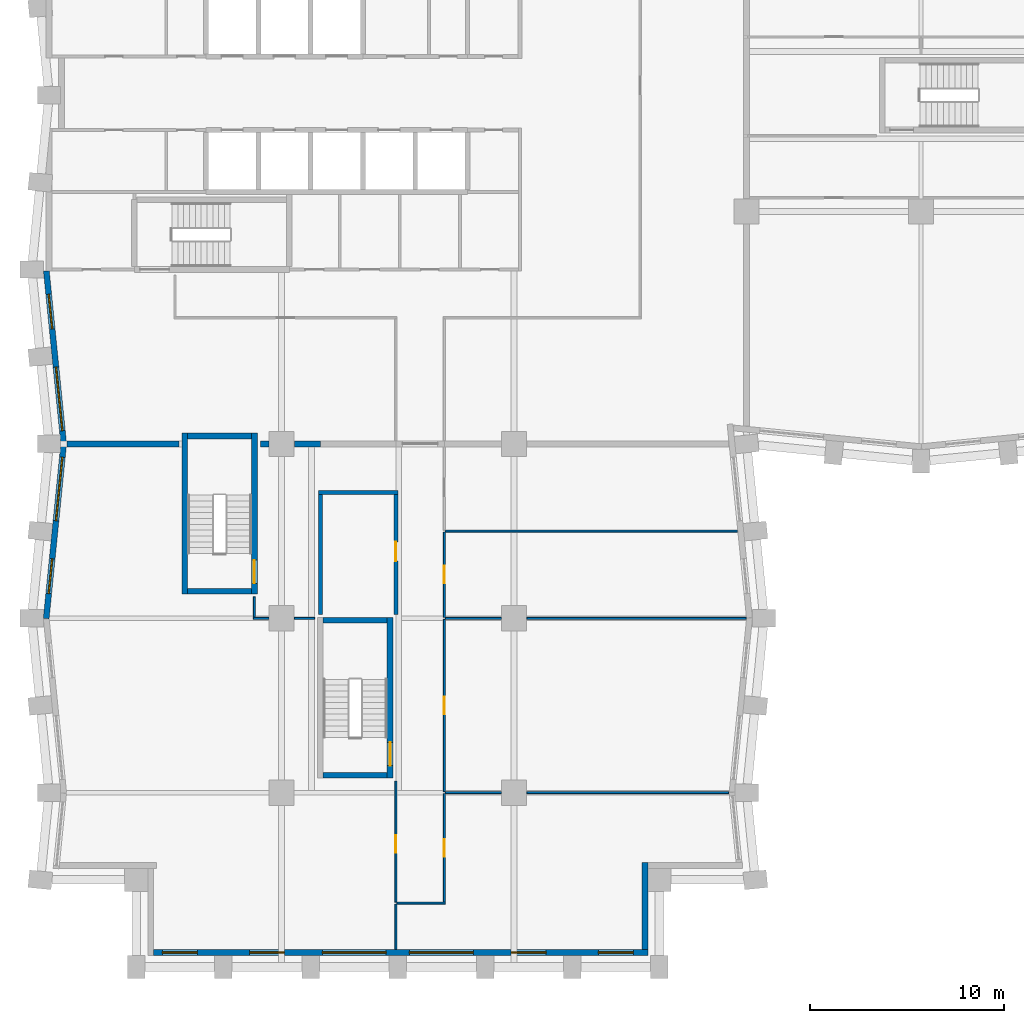
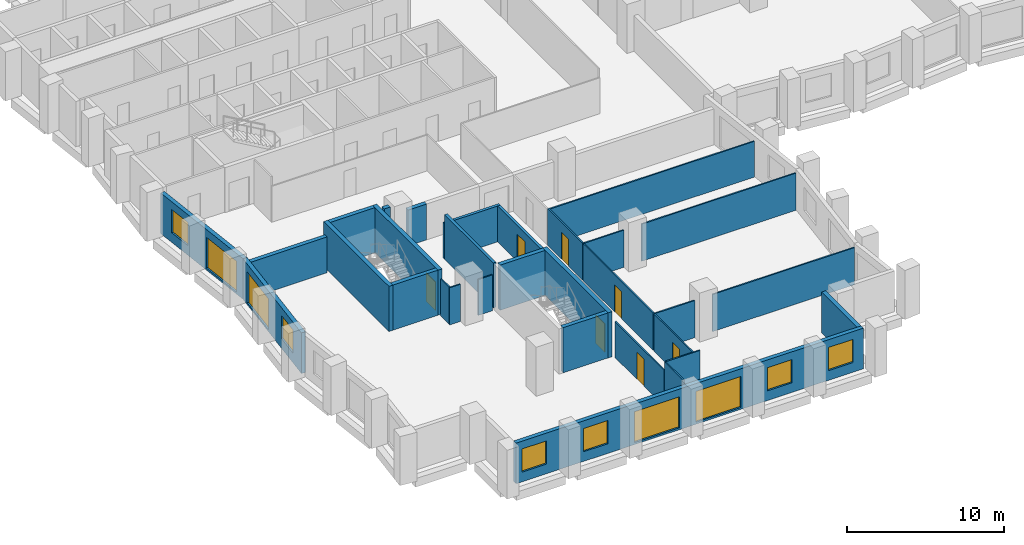
# One storey, part 3 of 11: 31 walls, 10 windows, 7 doors, 17 openings.
"""IFC4 building model written with IfcOpenShell, lengths in metres."""

import ifcopenshell
import ifcopenshell.guid

model = None  # the IFC model being written
_history = None  # IfcOwnerHistory: only IFC2X3 demands one
_inside = {}  # id of a spatial element -> (the spatial element, [elements in it])
_under = {}  # id of a project, library or spatial element -> (it, [spatial elements below it])
_declared = {}  # id of a project -> (the project, [libraries it declares])
_typed = {}  # id of a type object -> (the type object, [elements of that type])
_made_of = {}  # id of a material, layer set ... -> (it, [elements and type objects made of it])


def new_model(schema):
    """Start an empty IFC model of exactly this schema.

    Asked for "IFC4X3", IfcOpenShell would pick the latest addendum, in which some entities
    have other attributes; the version numbers below select the first issue.
    IFC2X3 requires an IfcOwnerHistory on every rooted entity: one is made here for all.
    """
    global model, _history
    if schema == "IFC4X3":
        model = ifcopenshell.file(schema_version=(4, 3, 0, 0))
    else:
        model = ifcopenshell.file(schema=schema)
    _inside.clear()
    _under.clear()
    _declared.clear()
    _typed.clear()
    _made_of.clear()
    _history = None
    if model.schema == "IFC2X3":
        org = make("IfcOrganization", Name="unknown")
        user = make(
            "IfcPersonAndOrganization",
            ThePerson=make("IfcPerson", FamilyName="unknown"),
            TheOrganization=org,
        )
        app = make(
            "IfcApplication",
            ApplicationDeveloper=org,
            Version="unknown",
            ApplicationFullName="unknown",
            ApplicationIdentifier="unknown",
        )
        _history = make(
            "IfcOwnerHistory",
            OwningUser=user,
            OwningApplication=app,
            ChangeAction="ADDED",
            CreationDate=0,
        )
    return model


def make(cls, **values):
    """One entity of the class cls with the attributes given. An attribute that is None is left unset."""
    return model.create_entity(
        cls, **{name: value for name, value in values.items() if value is not None}
    )


def rooted(cls, **values):
    """An entity with a GlobalId (a new one), such as an element, a storey or a relation."""
    return make(cls, GlobalId=ifcopenshell.guid.new(), OwnerHistory=_history, **values)


def si_unit(unit_type, name, prefix=None):
    """IfcSIUnit, for example si_unit("LENGTHUNIT", "METRE", prefix="MILLI")."""
    return make("IfcSIUnit", UnitType=unit_type, Prefix=prefix, Name=name)


def assignment(units):
    """IfcUnitAssignment: the units of a project."""
    return None if units is None else make("IfcUnitAssignment", Units=units)


def point(xyz):
    """IfcCartesianPoint."""
    return None if xyz is None else make("IfcCartesianPoint", Coordinates=xyz)


def direction(xyz):
    """IfcDirection."""
    return None if xyz is None else make("IfcDirection", DirectionRatios=xyz)


def frame(location, z_axis=None, x_axis=None):
    """IfcAxis2Placement3D, a coordinate frame: its origin and axes. An axis left out is left unset."""
    return make(
        "IfcAxis2Placement3D",
        Location=point(location),
        Axis=direction(z_axis),
        RefDirection=direction(x_axis),
    )


def frame_2d(location, x_axis=None):
    """IfcAxis2Placement2D, a coordinate frame in the plane: its origin and x axis."""
    return make(
        "IfcAxis2Placement2D", Location=point(location), RefDirection=direction(x_axis)
    )


def origin():
    """The frame at (0, 0, 0) with its axes left unset."""
    return frame((0.0, 0.0, 0.0))


def place(relative_to, where):
    """IfcLocalPlacement: puts the frame where relative to a parent placement (None: the world)."""
    return make(
        "IfcLocalPlacement", PlacementRelTo=relative_to, RelativePlacement=where
    )


def context(
    kind, dimensions, precision=None, world=None, true_north=None, identifier=None
):
    """IfcGeometricRepresentationContext, for example the 3D "Model" context."""
    return make(
        "IfcGeometricRepresentationContext",
        ContextIdentifier=identifier,
        ContextType=kind,
        CoordinateSpaceDimension=dimensions,
        Precision=precision,
        WorldCoordinateSystem=world,
        TrueNorth=true_north,
    )


def subcontext(parent, identifier, kind, view, scale=None):
    """IfcGeometricRepresentationSubContext, for example "Body" below "Model"."""
    return make(
        "IfcGeometricRepresentationSubContext",
        ContextIdentifier=identifier,
        ContextType=kind,
        ParentContext=parent,
        TargetScale=scale,
        TargetView=view,
    )


def project(units=None, contexts=None):
    """IfcProject with its units and contexts."""
    return rooted(
        "IfcProject",
        Name="project",
        RepresentationContexts=contexts,
        UnitsInContext=assignment(units),
    )


def spatial(cls, under=None, at=None, **own):
    """A site, building, storey or space (cls), placed at a placement, below another one or the project."""
    s = rooted(cls, ObjectPlacement=at, **own)
    if under is not None:
        _under.setdefault(under.id(), (under, []))[1].append(s)
    return s


def profile(cls, at=None, kind="AREA", **sizes):
    """A parametric profile (cls). Its sizes go by their IFC names, for example OverallWidth=200.0."""
    return make(cls, ProfileType=kind, Position=at, **sizes)


def rectangle(**sizes):
    """IfcRectangleProfileDef."""
    return profile("IfcRectangleProfileDef", **sizes)


def extrude(swept, where, along, depth):
    """IfcExtrudedAreaSolid: the profile swept, set in the frame where, extruded along a direction by depth."""
    return make(
        "IfcExtrudedAreaSolid",
        SweptArea=swept,
        Position=where,
        ExtrudedDirection=direction(along),
        Depth=depth,
    )


def shape(context_of_items, identifier, shape_type, items):
    """IfcShapeRepresentation: the items that make up one representation, for example the "Body"."""
    return make(
        "IfcShapeRepresentation",
        ContextOfItems=context_of_items,
        RepresentationIdentifier=identifier,
        RepresentationType=shape_type,
        Items=items,
    )


def material(Name=None, Category=None):
    """IfcMaterial."""
    return make("IfcMaterial", Name=Name, Category=Category)


def layer(
    of_material, thickness, ventilated=None, Name=None, Category=None, Priority=None
):
    """IfcMaterialLayer: one layer of a wall or slab, of a material (None: an air gap)."""
    return make(
        "IfcMaterialLayer",
        Material=of_material,
        LayerThickness=thickness,
        IsVentilated=ventilated,
        Name=Name,
        Category=Category,
        Priority=Priority,
    )


def layer_set(layers, Name=None):
    """IfcMaterialLayerSet."""
    return make("IfcMaterialLayerSet", MaterialLayers=layers, LayerSetName=Name)


def made_of(thing, what):
    """Note that an element or type object is made of a material, layer set ...; save() writes the relation."""
    if what is not None:
        _made_of.setdefault(what.id(), (what, []))[1].append(thing)
    return thing


def type_object(cls, material=None, **own):
    """A type object (cls), such as IfcWallType, which elements share."""
    return made_of(rooted(cls, **own), material)


def element(
    cls,
    number,
    at=None,
    inside=None,
    cuts=None,
    type_object=None,
    material=None,
    context=None,
    identifier="Body",
    shape_type=None,
    held_by="IfcProductDefinitionShape",
    body=None,
    shapes=None,
    **own,
):
    """One element of the class cls, such as IfcWall. Its Tag is "e" and its number.

    at: its placement. inside: the storey or other place that contains it. cuts: it is an
    opening in that element (IfcRelVoidsElement). A single representation is given by context,
    identifier, shape_type and body (its items); several are given by shapes. held_by: the class
    of the entity that holds the representations. save() writes the other relations.
    """
    e = rooted(cls, Tag="e%d" % number, ObjectPlacement=at, **own)
    if body is not None:
        shapes = [shape(context, identifier, shape_type, body)]
    if shapes is not None:
        e.Representation = make(held_by, Representations=shapes)
    if inside is not None:
        _inside.setdefault(inside.id(), (inside, []))[1].append(e)
    if cuts is not None:
        rooted(
            "IfcRelVoidsElement", RelatingBuildingElement=cuts, RelatedOpeningElement=e
        )
    if type_object is not None:
        _typed.setdefault(type_object.id(), (type_object, []))[1].append(e)
    return made_of(e, material)


def fill(opening, filler):
    """IfcRelFillsElement: the door or window that sits in an opening."""
    return rooted(
        "IfcRelFillsElement",
        RelatingOpeningElement=opening,
        RelatedBuildingElement=filler,
    )


def aggregate(whole, parts):
    """IfcRelAggregates: a whole, such as a stair, and the parts it consists of."""
    return rooted("IfcRelAggregates", RelatingObject=whole, RelatedObjects=parts)


def save(model, path):
    """Write the relations noted so far, then the file.

    IfcRelAggregates (storeys below a building ...), IfcRelContainedInSpatialStructure (elements
    in a storey), IfcRelDefinesByType, IfcRelAssociatesMaterial and IfcRelDeclares: one each for
    every whole, place, type object, material and project.
    """
    for whole, parts in _under.values():
        aggregate(whole, parts)
    for where, things in _inside.values():
        rooted(
            "IfcRelContainedInSpatialStructure",
            RelatedElements=things,
            RelatingStructure=where,
        )
    for kind, things in _typed.values():
        rooted("IfcRelDefinesByType", RelatedObjects=things, RelatingType=kind)
    for what, things in _made_of.values():
        rooted("IfcRelAssociatesMaterial", RelatedObjects=things, RelatingMaterial=what)
    for by, libraries in _declared.values():
        rooted("IfcRelDeclares", RelatingContext=by, RelatedDefinitions=libraries)
    model.write(path)


model = new_model("IFC4")

# Units and contexts
model_context = context("Model", 3, precision=1e-05, world=origin(), true_north=direction((0.0, 1.0)))
body_context = subcontext(model_context, "Body", "Model", "MODEL_VIEW")
ifc_project = project(units=[si_unit("LENGTHUNIT", "METRE"), si_unit("AREAUNIT", "SQUARE_METRE"), si_unit("VOLUMEUNIT", "CUBIC_METRE"), si_unit("PLANEANGLEUNIT", "RADIAN"), si_unit("MASSUNIT", "GRAM", prefix="KILO")], contexts=[model_context])

# Site, building, storey
site_placement = place(None, origin())
site = spatial("IfcSite", under=ifc_project, at=site_placement, CompositionType="ELEMENT")
building_placement = place(site_placement, origin())
building = spatial("IfcBuilding", under=site, at=building_placement, Name="Brondeck Convention Tower", CompositionType="ELEMENT")
storey_placement = place(building_placement, frame((0.0, 0.0, 107.5)))
storey = spatial("IfcBuildingStorey", under=building, at=storey_placement, Name="L25", CompositionType="ELEMENT", Elevation=107.5)

# Walls
ifc_material_1 = material(Name="Concrete compartment wall C30/37", Category="concrete")
ifc_layer_1 = layer(ifc_material_1, 0.300048828125)
ifc_layer_set_1 = layer_set([ifc_layer_1], Name="Compartment wall 300")
wall_type_1 = type_object("IfcWallType", Name="Compartment wall 300", PredefinedType="PARTITIONING", material=ifc_layer_set_1)
wall_1_placement = place(storey_placement, frame((0.924560546875, 27.0, 0.0), z_axis=(0.0, 0.0, 1.0), x_axis=(1.0, 0.0, 0.0)))
element("IfcWall", 1, at=wall_1_placement, inside=storey, type_object=wall_type_1, Name="FLR-L25-W019", PredefinedType="PARTITIONING", context=body_context, shape_type="SweptSolid", body=[
    extrude(rectangle(XDim=5.775390625, YDim=0.300048828125, at=frame_2d((2.8876953125, 0.0))), origin(), (0.0, 0.0, 1.0), 2.780029296875),
])
wall_2_placement = place(storey_placement, frame((10.89990234375, 27.0, 0.0), z_axis=(0.0, 0.0, 1.0), x_axis=(1.0, 0.0, 0.0)))
element("IfcWall", 2, at=wall_2_placement, inside=storey, type_object=wall_type_1, Name="FLR-L25-W020", PredefinedType="PARTITIONING", context=body_context, shape_type="SweptSolid", body=[
    extrude(rectangle(XDim=0.445068359375, YDim=0.300048828125, at=frame_2d((0.22265625, 0.0))), origin(), (0.0, 0.0, 1.0), 3.47998046875),
])
wall_3_placement = place(storey_placement, frame((12.655029296875, 27.0, 0.0), z_axis=(0.0, 0.0, 1.0), x_axis=(1.0, 0.0, 0.0)))
element("IfcWall", 3, at=wall_3_placement, inside=storey, type_object=wall_type_1, Name="FLR-L25-W021", PredefinedType="PARTITIONING", context=body_context, shape_type="SweptSolid", body=[
    extrude(rectangle(XDim=1.344970703125, YDim=0.300048828125, at=frame_2d((0.67236328125, 0.0))), origin(), (0.0, 0.0, 1.0), 2.780029296875),
])

# Wall, openings, windows
ifc_material_2 = material(Name="Precast concrete C50/60 bronze finish", Category="concrete")
ifc_layer_2 = layer(ifc_material_2, 0.070068359375, Name="Bronze precast facing")
ifc_material_3 = material(Name="Mineral wool")
ifc_layer_3 = layer(ifc_material_3, 0.159912109375, Name="Insulation")
ifc_material_4 = material(Name="Concrete C35/45", Category="concrete")
ifc_layer_4 = layer(ifc_material_4, 0.070068359375, Name="Backing")
ifc_layer_set_2 = layer_set([ifc_layer_2, ifc_layer_3, ifc_layer_4], Name="External infill wall, precast concrete C50/60 bronze facing")
wall_type_2 = type_object("IfcWallType", Name="External infill wall, precast concrete C50/60 bronze facing", PredefinedType="SOLIDWALL", material=ifc_layer_set_2)
wall_4_placement = place(storey_placement, frame((30.89990234375, 0.75, 0.0), z_axis=(0.0, 0.0, 1.0), x_axis=(-1.0, 0.0, 0.0)))
wall_4 = element("IfcWall", 4, at=wall_4_placement, inside=storey, type_object=wall_type_2, Name="ENV-EW-L25-P0-B-S0-01", PredefinedType="SOLIDWALL", context=body_context, shape_type="SweptSolid", body=[
    extrude(rectangle(XDim=25.5, YDim=0.300048828125, at=frame_2d((12.75, 0.0))), origin(), (0.0, 0.0, 1.0), 3.14990234375),
])
opening_1_placement = place(wall_4_placement, frame((0.75, 0.0, 0.75)))
opening_1 = element("IfcOpeningElement", 5, at=opening_1_placement, cuts=wall_4, Name="Opening W10", PredefinedType="OPENING", context=body_context, shape_type="SweptSolid", body=[
    extrude(rectangle(XDim=1.800048828125, YDim=1.800048828125, at=frame_2d((0.89990234375, 0.89990234375))), frame((0.0, 0.159912109375, 0.0), z_axis=(0.0, -1.0, 0.0), x_axis=(1.0, 0.0, 0.0)), (0.0, 0.0, 1.0), 0.320068359375),
])
opening_2_placement = place(wall_4_placement, frame((5.25, 0.0, 0.75)))
opening_2 = element("IfcOpeningElement", 6, at=opening_2_placement, cuts=wall_4, Name="Opening W10", PredefinedType="OPENING", context=body_context, shape_type="SweptSolid", body=[
    extrude(rectangle(XDim=1.800048828125, YDim=1.800048828125, at=frame_2d((0.89990234375, 0.89990234375))), frame((0.0, 0.159912109375, 0.0), z_axis=(0.0, -1.0, 0.0), x_axis=(1.0, 0.0, 0.0)), (0.0, 0.0, 1.0), 0.320068359375),
])
opening_3_placement = place(wall_4_placement, frame((9.0, 0.0, 0.14990234375)))
opening_3 = element("IfcOpeningElement", 7, at=opening_3_placement, cuts=wall_4, Name="Opening W9", PredefinedType="OPENING", context=body_context, shape_type="SweptSolid", body=[
    extrude(rectangle(XDim=3.300048828125, YDim=2.39990234375, at=frame_2d((1.64990234375, 1.199951171875))), frame((0.0, 0.159912109375, 0.0), z_axis=(0.0, -1.0, 0.0), x_axis=(1.0, 0.0, 0.0)), (0.0, 0.0, 1.0), 0.320068359375),
])
opening_4_placement = place(wall_4_placement, frame((13.5, 0.0, 0.14990234375)))
opening_4 = element("IfcOpeningElement", 8, at=opening_4_placement, cuts=wall_4, Name="Opening W9", PredefinedType="OPENING", context=body_context, shape_type="SweptSolid", body=[
    extrude(rectangle(XDim=3.300048828125, YDim=2.39990234375, at=frame_2d((1.64990234375, 1.199951171875))), frame((0.0, 0.159912109375, 0.0), z_axis=(0.0, -1.0, 0.0), x_axis=(1.0, 0.0, 0.0)), (0.0, 0.0, 1.0), 0.320068359375),
])
opening_5_placement = place(wall_4_placement, frame((18.75, 0.0, 0.75)))
opening_5 = element("IfcOpeningElement", 9, at=opening_5_placement, cuts=wall_4, Name="Opening W10", PredefinedType="OPENING", context=body_context, shape_type="SweptSolid", body=[
    extrude(rectangle(XDim=1.800048828125, YDim=1.800048828125, at=frame_2d((0.89990234375, 0.89990234375))), frame((0.0, 0.159912109375, 0.0), z_axis=(0.0, -1.0, 0.0), x_axis=(1.0, 0.0, 0.0)), (0.0, 0.0, 1.0), 0.320068359375),
])
opening_6_placement = place(wall_4_placement, frame((23.25, 0.0, 0.75)))
opening_6 = element("IfcOpeningElement", 10, at=opening_6_placement, cuts=wall_4, Name="Opening W10", PredefinedType="OPENING", context=body_context, shape_type="SweptSolid", body=[
    extrude(rectangle(XDim=1.800048828125, YDim=1.800048828125, at=frame_2d((0.89990234375, 0.89990234375))), frame((0.0, 0.159912109375, 0.0), z_axis=(0.0, -1.0, 0.0), x_axis=(1.0, 0.0, 0.0)), (0.0, 0.0, 1.0), 0.320068359375),
])
ifc_material_5 = material(Name="Bronze tinted double glazing", Category="glass")
window_type_1 = type_object("IfcWindowType", Name="Glazed flute window, bronze tinted", PartitioningType="SINGLE_PANEL", PredefinedType="WINDOW", material=ifc_material_5)
window_1_placement = place(opening_3_placement, origin())
window_1 = element("IfcWindow", 11, at=window_1_placement, inside=storey, type_object=window_type_1, Name="ENV-WN-L25-P0-B-S0-04", OverallHeight=2.39990234375, OverallWidth=3.300048828125, PartitioningType="SINGLE_PANEL", PredefinedType="WINDOW", context=body_context, shape_type="SweptSolid", body=[
    extrude(rectangle(XDim=3.300048828125, YDim=2.39990234375, at=frame_2d((1.64990234375, 1.199951171875))), frame((0.0, 0.030029296875, 0.0), z_axis=(0.0, -1.0, 0.0), x_axis=(1.0, 0.0, 0.0)), (0.0, 0.0, 1.0), 0.06005859375),
])
fill(opening_3, window_1)
window_2_placement = place(opening_4_placement, origin())
window_2 = element("IfcWindow", 12, at=window_2_placement, inside=storey, type_object=window_type_1, Name="ENV-WN-L25-P0-B-S0-03", OverallHeight=2.39990234375, OverallWidth=3.300048828125, PartitioningType="SINGLE_PANEL", PredefinedType="WINDOW", context=body_context, shape_type="SweptSolid", body=[
    extrude(rectangle(XDim=3.300048828125, YDim=2.39990234375, at=frame_2d((1.64990234375, 1.199951171875))), frame((0.0, 0.030029296875, 0.0), z_axis=(0.0, -1.0, 0.0), x_axis=(1.0, 0.0, 0.0)), (0.0, 0.0, 1.0), 0.06005859375),
])
fill(opening_4, window_2)
window_type_2 = type_object("IfcWindowType", Name="Punched window, bronze tinted", PartitioningType="SINGLE_PANEL", PredefinedType="WINDOW", material=ifc_material_5)
window_3_placement = place(opening_1_placement, origin())
window_3 = element("IfcWindow", 13, at=window_3_placement, inside=storey, type_object=window_type_2, Name="ENV-WN-L25-P0-B-S0-06", OverallHeight=1.800048828125, OverallWidth=1.800048828125, PartitioningType="SINGLE_PANEL", PredefinedType="WINDOW", context=body_context, shape_type="SweptSolid", body=[
    extrude(rectangle(XDim=1.800048828125, YDim=1.800048828125, at=frame_2d((0.89990234375, 0.89990234375))), frame((0.0, 0.030029296875, 0.0), z_axis=(0.0, -1.0, 0.0), x_axis=(1.0, 0.0, 0.0)), (0.0, 0.0, 1.0), 0.06005859375),
])
fill(opening_1, window_3)
window_4_placement = place(opening_2_placement, origin())
window_4 = element("IfcWindow", 14, at=window_4_placement, inside=storey, type_object=window_type_2, Name="ENV-WN-L25-P0-B-S0-05", OverallHeight=1.800048828125, OverallWidth=1.800048828125, PartitioningType="SINGLE_PANEL", PredefinedType="WINDOW", context=body_context, shape_type="SweptSolid", body=[
    extrude(rectangle(XDim=1.800048828125, YDim=1.800048828125, at=frame_2d((0.89990234375, 0.89990234375))), frame((0.0, 0.030029296875, 0.0), z_axis=(0.0, -1.0, 0.0), x_axis=(1.0, 0.0, 0.0)), (0.0, 0.0, 1.0), 0.06005859375),
])
fill(opening_2, window_4)
window_5_placement = place(opening_5_placement, origin())
window_5 = element("IfcWindow", 15, at=window_5_placement, inside=storey, type_object=window_type_2, Name="ENV-WN-L25-P0-B-S0-02", OverallHeight=1.800048828125, OverallWidth=1.800048828125, PartitioningType="SINGLE_PANEL", PredefinedType="WINDOW", context=body_context, shape_type="SweptSolid", body=[
    extrude(rectangle(XDim=1.800048828125, YDim=1.800048828125, at=frame_2d((0.89990234375, 0.89990234375))), frame((0.0, 0.030029296875, 0.0), z_axis=(0.0, -1.0, 0.0), x_axis=(1.0, 0.0, 0.0)), (0.0, 0.0, 1.0), 0.06005859375),
])
fill(opening_5, window_5)
window_6_placement = place(opening_6_placement, origin())
window_6 = element("IfcWindow", 16, at=window_6_placement, inside=storey, type_object=window_type_2, Name="ENV-WN-L25-P0-B-S0-01", OverallHeight=1.800048828125, OverallWidth=1.800048828125, PartitioningType="SINGLE_PANEL", PredefinedType="WINDOW", context=body_context, shape_type="SweptSolid", body=[
    extrude(rectangle(XDim=1.800048828125, YDim=1.800048828125, at=frame_2d((0.89990234375, 0.89990234375))), frame((0.0, 0.030029296875, 0.0), z_axis=(0.0, -1.0, 0.0), x_axis=(1.0, 0.0, 0.0)), (0.0, 0.0, 1.0), 0.06005859375),
])
fill(opening_6, window_6)

# Wall
wall_5_placement = place(storey_placement, frame((30.75, 5.39990234375, 0.0), z_axis=(0.0, 0.0, 1.0), x_axis=(0.0, -1.0, 0.0)))
element("IfcWall", 17, at=wall_5_placement, inside=storey, type_object=wall_type_2, Name="ENV-EW-L25-P0-NC-SEB0-01", PredefinedType="SOLIDWALL", context=body_context, shape_type="SweptSolid", body=[
    extrude(rectangle(XDim=4.501953125, YDim=0.300048828125, at=frame_2d((2.2509765625, 0.0))), origin(), (0.0, 0.0, 1.0), 3.14990234375),
])

# Wall, openings, windows
wall_6_placement = place(storey_placement, frame((0.755126953125, 26.985107421875, 0.0), z_axis=(0.0, 0.0, 1.0), x_axis=(-0.099479505633, 0.995039611251, 0.0)))
wall_6 = element("IfcWall", 18, at=wall_6_placement, inside=storey, type_object=wall_type_2, Name="ENV-EW-L25-P0-B-W-06", PredefinedType="SOLIDWALL", context=body_context, shape_type="SweptSolid", body=[
    extrude(rectangle(XDim=8.98486328125, YDim=0.300048828125, at=frame_2d((4.492431640625, 0.0))), origin(), (0.0, 0.0, 1.0), 3.14990234375),
])
opening_7_placement = place(wall_6_placement, frame((0.701171875, 0.0, 0.14990234375)))
opening_7 = element("IfcOpeningElement", 19, at=opening_7_placement, cuts=wall_6, Name="Opening W9", PredefinedType="OPENING", context=body_context, shape_type="SweptSolid", body=[
    extrude(rectangle(XDim=3.300048828125, YDim=2.39990234375, at=frame_2d((1.64990234375, 1.199951171875))), frame((0.0, 0.159912109375, 0.0), z_axis=(0.0, -1.0, 0.0), x_axis=(1.0, 0.0, 0.0)), (0.0, 0.0, 1.0), 0.320068359375),
])
opening_8_placement = place(wall_6_placement, frame((5.9736328125, 0.0, 0.75)))
opening_8 = element("IfcOpeningElement", 20, at=opening_8_placement, cuts=wall_6, Name="Opening W10", PredefinedType="OPENING", context=body_context, shape_type="SweptSolid", body=[
    extrude(rectangle(XDim=1.800048828125, YDim=1.800048828125, at=frame_2d((0.89990234375, 0.89990234375))), frame((0.0, 0.159912109375, 0.0), z_axis=(0.0, -1.0, 0.0), x_axis=(1.0, 0.0, 0.0)), (0.0, 0.0, 1.0), 0.320068359375),
])
window_7_placement = place(opening_7_placement, origin())
window_7 = element("IfcWindow", 21, at=window_7_placement, inside=storey, type_object=window_type_1, Name="ENV-WN-L25-P0-B-W-07", OverallHeight=2.39990234375, OverallWidth=3.300048828125, PartitioningType="SINGLE_PANEL", PredefinedType="WINDOW", context=body_context, shape_type="SweptSolid", body=[
    extrude(rectangle(XDim=3.300048828125, YDim=2.39990234375, at=frame_2d((1.64990234375, 1.199951171875))), frame((0.0, 0.030029296875, 0.0), z_axis=(0.0, -1.0, 0.0), x_axis=(1.0, 0.0, 0.0)), (0.0, 0.0, 1.0), 0.06005859375),
])
fill(opening_7, window_7)
window_8_placement = place(opening_8_placement, origin())
window_8 = element("IfcWindow", 22, at=window_8_placement, inside=storey, type_object=window_type_2, Name="ENV-WN-L25-P0-B-W-06", OverallHeight=1.800048828125, OverallWidth=1.800048828125, PartitioningType="SINGLE_PANEL", PredefinedType="WINDOW", context=body_context, shape_type="SweptSolid", body=[
    extrude(rectangle(XDim=1.800048828125, YDim=1.800048828125, at=frame_2d((0.89990234375, 0.89990234375))), frame((0.0, 0.030029296875, 0.0), z_axis=(0.0, -1.0, 0.0), x_axis=(1.0, 0.0, 0.0)), (0.0, 0.0, 1.0), 0.06005859375),
])
fill(opening_8, window_8)

wall_7_placement = place(storey_placement, frame((-0.147705078125, 17.985107421875, 0.0), z_axis=(0.0, 0.0, 1.0), x_axis=(0.099495688264, 0.995037993253, 0.0)))
wall_7 = element("IfcWall", 23, at=wall_7_placement, inside=storey, type_object=wall_type_2, Name="ENV-EW-L25-P0-B-W-08", PredefinedType="SOLIDWALL", context=body_context, shape_type="SweptSolid", body=[
    extrude(rectangle(XDim=9.030029296875, YDim=0.300048828125, at=frame_2d((4.51513671875, 0.0))), origin(), (0.0, 0.0, 1.0), 3.14990234375),
])
opening_9_placement = place(wall_7_placement, frame((1.30126953125, 0.0, 0.75)))
opening_9 = element("IfcOpeningElement", 24, at=opening_9_placement, cuts=wall_7, Name="Opening W10", PredefinedType="OPENING", context=body_context, shape_type="SweptSolid", body=[
    extrude(rectangle(XDim=1.800048828125, YDim=1.800048828125, at=frame_2d((0.89990234375, 0.89990234375))), frame((0.0, 0.159912109375, 0.0), z_axis=(0.0, -1.0, 0.0), x_axis=(1.0, 0.0, 0.0)), (0.0, 0.0, 1.0), 0.320068359375),
])
opening_10_placement = place(wall_7_placement, frame((5.073486328125, 0.0, 0.14990234375)))
opening_10 = element("IfcOpeningElement", 25, at=opening_10_placement, cuts=wall_7, Name="Opening W9", PredefinedType="OPENING", context=body_context, shape_type="SweptSolid", body=[
    extrude(rectangle(XDim=3.300048828125, YDim=2.39990234375, at=frame_2d((1.64990234375, 1.199951171875))), frame((0.0, 0.159912109375, 0.0), z_axis=(0.0, -1.0, 0.0), x_axis=(1.0, 0.0, 0.0)), (0.0, 0.0, 1.0), 0.320068359375),
])
window_9_placement = place(opening_10_placement, origin())
window_9 = element("IfcWindow", 26, at=window_9_placement, inside=storey, type_object=window_type_1, Name="ENV-WN-L25-P0-B-W-08", OverallHeight=2.39990234375, OverallWidth=3.300048828125, PartitioningType="SINGLE_PANEL", PredefinedType="WINDOW", context=body_context, shape_type="SweptSolid", body=[
    extrude(rectangle(XDim=3.300048828125, YDim=2.39990234375, at=frame_2d((1.64990234375, 1.199951171875))), frame((0.0, 0.030029296875, 0.0), z_axis=(0.0, -1.0, 0.0), x_axis=(1.0, 0.0, 0.0)), (0.0, 0.0, 1.0), 0.06005859375),
])
fill(opening_10, window_9)
window_10_placement = place(opening_9_placement, origin())
window_10 = element("IfcWindow", 27, at=window_10_placement, inside=storey, type_object=window_type_2, Name="ENV-WN-L25-P0-B-W-09", OverallHeight=1.800048828125, OverallWidth=1.800048828125, PartitioningType="SINGLE_PANEL", PredefinedType="WINDOW", context=body_context, shape_type="SweptSolid", body=[
    extrude(rectangle(XDim=1.800048828125, YDim=1.800048828125, at=frame_2d((0.89990234375, 0.89990234375))), frame((0.0, 0.030029296875, 0.0), z_axis=(0.0, -1.0, 0.0), x_axis=(1.0, 0.0, 0.0)), (0.0, 0.0, 1.0), 0.06005859375),
])
fill(opening_9, window_10)

# Wall, opening, door
ifc_material_6 = material(Name="Concrete block wall C16/20", Category="concrete")
ifc_layer_5 = layer(ifc_material_6, 0.199951171875)
ifc_layer_set_3 = layer_set([ifc_layer_5], Name="Plant room wall 200")
wall_type_3 = type_object("IfcWallType", Name="Plant room wall 200", PredefinedType="PARTITIONING", material=ifc_layer_set_3)
wall_8_placement = place(storey_placement, frame((17.89990234375, 18.199951171875, 0.0), z_axis=(0.0, 0.0, 1.0), x_axis=(0.0, 1.0, 0.0)))
wall_8 = element("IfcWall", 28, at=wall_8_placement, inside=storey, type_object=wall_type_3, Name="FLR-L25-W013", PredefinedType="PARTITIONING", context=body_context, shape_type="SweptSolid", body=[
    extrude(rectangle(XDim=6.199951171875, YDim=0.199951171875, at=frame_2d((3.10009765625, 0.0))), origin(), (0.0, 0.0, 1.0), 2.780029296875),
])
opening_11_placement = place(wall_8_placement, frame((2.75, 0.0, 0.0)))
opening_11 = element("IfcOpeningElement", 29, at=opening_11_placement, cuts=wall_8, Name="Opening OF-B-001", PredefinedType="OPENING", context=body_context, shape_type="SweptSolid", body=[
    extrude(rectangle(XDim=1.0, YDim=2.10009765625, at=frame_2d((0.5, 1.050048828125))), frame((0.0, 0.10986328125, 0.0), z_axis=(0.0, -1.0, 0.0), x_axis=(1.0, 0.0, 0.0)), (0.0, 0.0, 1.0), 0.219970703125),
])
ifc_material_7 = material(Name="Steel fire door leaf", Category="steel")
door_type_1 = type_object("IfcDoorType", Name="Plant room door 1000", OperationType="NOTDEFINED", PredefinedType="DOOR", material=ifc_material_7)
door_1_placement = place(opening_11_placement, origin())
door_1 = element("IfcDoor", 30, at=door_1_placement, inside=storey, type_object=door_type_1, Name="Door OF-B-001", OperationType="SINGLE_SWING_LEFT", OverallHeight=2.10009765625, OverallWidth=1.0, PredefinedType="DOOR", context=body_context, shape_type="SweptSolid", body=[
    extrude(rectangle(XDim=1.0, YDim=2.10009765625, at=frame_2d((0.5, 1.050048828125))), frame((0.0, 0.02490234375, 0.0), z_axis=(0.0, -1.0, 0.0), x_axis=(1.0, 0.0, 0.0)), (0.0, 0.0, 1.0), 0.050048828125),
])
fill(opening_11, door_1)

# Walls
wall_9_placement = place(storey_placement, frame((14.0, 24.39990234375, 0.0), z_axis=(0.0, 0.0, 1.0), x_axis=(0.0, -1.0, 0.0)))
element("IfcWall", 31, at=wall_9_placement, inside=storey, type_object=wall_type_3, Name="FLR-L25-W016", PredefinedType="PARTITIONING", context=body_context, shape_type="SweptSolid", body=[
    extrude(rectangle(XDim=6.199951171875, YDim=0.199951171875, at=frame_2d((3.10009765625, 0.0))), origin(), (0.0, 0.0, 1.0), 3.47998046875),
])
wall_10_placement = place(storey_placement, frame((18.0, 24.5, 0.0), z_axis=(0.0, 0.0, 1.0), x_axis=(-1.0, 0.0, 0.0)))
element("IfcWall", 32, at=wall_10_placement, inside=storey, type_object=wall_type_3, Name="FLR-L25-W017", PredefinedType="PARTITIONING", context=body_context, shape_type="SweptSolid", body=[
    extrude(rectangle(XDim=4.10009765625, YDim=0.199951171875, at=frame_2d((2.050048828125, 0.0))), origin(), (0.0, 0.0, 1.0), 2.780029296875),
])
ifc_material_8 = material(Name="Gypsum board partition on steel studs", Category="steel")
ifc_layer_6 = layer(ifc_material_8, 0.10009765625)
ifc_layer_set_4 = layer_set([ifc_layer_6], Name="Room partition 100")
wall_type_4 = type_object("IfcWallType", Name="Room partition 100", PredefinedType="PARTITIONING", material=ifc_layer_set_4)
wall_11_placement = place(storey_placement, frame((17.89990234375, 0.919921875, 0.0), z_axis=(0.0, 0.0, 1.0), x_axis=(0.0, 1.0, 0.0)))
element("IfcWall", 33, at=wall_11_placement, inside=storey, type_object=wall_type_4, Name="FLR-L25-W001", PredefinedType="PARTITIONING", context=body_context, shape_type="SweptSolid", body=[
    extrude(rectangle(XDim=2.330078125, YDim=0.10009765625, at=frame_2d((1.1650390625, 0.0))), origin(), (0.0, 0.0, 1.0), 3.47998046875),
])
wall_12_placement = place(storey_placement, frame((20.449951171875, 3.300048828125, 0.0), z_axis=(0.0, 0.0, 1.0), x_axis=(-1.0, 0.0, 0.0)))
element("IfcWall", 34, at=wall_12_placement, inside=storey, type_object=wall_type_4, Name="FLR-L25-W002", PredefinedType="PARTITIONING", context=body_context, shape_type="SweptSolid", body=[
    extrude(rectangle(XDim=2.5, YDim=0.10009765625, at=frame_2d((1.25, 0.0))), origin(), (0.0, 0.0, 1.0), 3.47998046875),
])

# Wall, opening, door
wall_13_placement = place(storey_placement, frame((17.89990234375, 3.35009765625, 0.0), z_axis=(0.0, 0.0, 1.0), x_axis=(0.0, 1.0, 0.0)))
wall_13 = element("IfcWall", 35, at=wall_13_placement, inside=storey, type_object=wall_type_4, Name="FLR-L25-W003", PredefinedType="PARTITIONING", context=body_context, shape_type="SweptSolid", body=[
    extrude(rectangle(XDim=6.25, YDim=0.10009765625, at=frame_2d((3.125, 0.0))), origin(), (0.0, 0.0, 1.0), 2.780029296875),
])
opening_12_placement = place(wall_13_placement, frame((2.550048828125, 0.0, 0.0)))
opening_12 = element("IfcOpeningElement", 36, at=opening_12_placement, cuts=wall_13, Name="Opening OF-B-018", PredefinedType="OPENING", context=body_context, shape_type="SweptSolid", body=[
    extrude(rectangle(XDim=0.89990234375, YDim=2.10009765625, at=frame_2d((0.449951171875, 1.050048828125))), frame((0.0, 0.06005859375, 0.0), z_axis=(0.0, -1.0, 0.0), x_axis=(1.0, 0.0, 0.0)), (0.0, 0.0, 1.0), 0.1201171875),
])
ifc_material_9 = material(Name="Solid timber door leaf", Category="wood")
door_type_2 = type_object("IfcDoorType", Name="Single door 900", OperationType="NOTDEFINED", PredefinedType="DOOR", material=ifc_material_9)
door_2_placement = place(opening_12_placement, origin())
door_2 = element("IfcDoor", 37, at=door_2_placement, inside=storey, type_object=door_type_2, Name="Door OF-B-018", OperationType="SINGLE_SWING_LEFT", OverallHeight=2.10009765625, OverallWidth=0.89990234375, PredefinedType="DOOR", context=body_context, shape_type="SweptSolid", body=[
    extrude(rectangle(XDim=0.89990234375, YDim=2.10009765625, at=frame_2d((0.449951171875, 1.050048828125))), frame((0.0, 0.02490234375, 0.0), z_axis=(0.0, -1.0, 0.0), x_axis=(1.0, 0.0, 0.0)), (0.0, 0.0, 1.0), 0.050048828125),
])
fill(opening_12, door_2)

wall_14_placement = place(storey_placement, frame((20.39990234375, 8.949951171875, 0.0), z_axis=(0.0, 0.0, 1.0), x_axis=(0.0, -1.0, 0.0)))
wall_14 = element("IfcWall", 38, at=wall_14_placement, inside=storey, type_object=wall_type_4, Name="FLR-L25-W004", PredefinedType="PARTITIONING", context=body_context, shape_type="SweptSolid", body=[
    extrude(rectangle(XDim=5.599853515625, YDim=0.10009765625, at=frame_2d((2.7998046875, 0.0))), origin(), (0.0, 0.0, 1.0), 2.8798828125),
])
opening_13_placement = place(wall_14_placement, frame((2.35009765625, 0.0, 0.0)))
opening_13 = element("IfcOpeningElement", 39, at=opening_13_placement, cuts=wall_14, Name="Opening OF-B-017", PredefinedType="OPENING", context=body_context, shape_type="SweptSolid", body=[
    extrude(rectangle(XDim=0.89990234375, YDim=2.10009765625, at=frame_2d((0.449951171875, 1.050048828125))), frame((0.0, 0.06005859375, 0.0), z_axis=(0.0, -1.0, 0.0), x_axis=(1.0, 0.0, 0.0)), (0.0, 0.0, 1.0), 0.1201171875),
])
door_3_placement = place(opening_13_placement, origin())
door_3 = element("IfcDoor", 40, at=door_3_placement, inside=storey, type_object=door_type_2, Name="Door OF-B-017", OperationType="SINGLE_SWING_LEFT", OverallHeight=2.10009765625, OverallWidth=0.89990234375, PredefinedType="DOOR", context=body_context, shape_type="SweptSolid", body=[
    extrude(rectangle(XDim=0.89990234375, YDim=2.10009765625, at=frame_2d((0.449951171875, 1.050048828125))), frame((0.0, 0.02490234375, 0.0), z_axis=(0.0, -1.0, 0.0), x_axis=(1.0, 0.0, 0.0)), (0.0, 0.0, 1.0), 0.050048828125),
])
fill(opening_13, door_3)

# Walls
wall_15_placement = place(storey_placement, frame((23.344970703125, 9.0, 0.0), z_axis=(0.0, 0.0, 1.0), x_axis=(-1.0, 0.0, 0.0)))
element("IfcWall", 41, at=wall_15_placement, inside=storey, type_object=wall_type_4, Name="FLR-L25-W005", PredefinedType="PARTITIONING", context=body_context, shape_type="SweptSolid", body=[
    extrude(rectangle(XDim=2.89501953125, YDim=0.10009765625, at=frame_2d((1.447509765625, 0.0))), origin(), (0.0, 0.0, 1.0), 2.8798828125),
])
wall_16_placement = place(storey_placement, frame((35.075439453125, 9.0, 0.0), z_axis=(0.0, 0.0, 1.0), x_axis=(-1.0, 0.0, 0.0)))
element("IfcWall", 42, at=wall_16_placement, inside=storey, type_object=wall_type_4, Name="FLR-L25-W006", PredefinedType="PARTITIONING", context=body_context, shape_type="SweptSolid", body=[
    extrude(rectangle(XDim=10.42041015625, YDim=0.10009765625, at=frame_2d((5.210205078125, 0.0))), origin(), (0.0, 0.0, 1.0), 2.8798828125),
])

# Wall, opening, door
wall_17_placement = place(storey_placement, frame((20.39990234375, 17.949951171875, 0.0), z_axis=(0.0, 0.0, 1.0), x_axis=(0.0, -1.0, 0.0)))
wall_17 = element("IfcWall", 43, at=wall_17_placement, inside=storey, type_object=wall_type_4, Name="FLR-L25-W007", PredefinedType="PARTITIONING", context=body_context, shape_type="SweptSolid", body=[
    extrude(rectangle(XDim=8.89990234375, YDim=0.10009765625, at=frame_2d((4.449951171875, 0.0))), origin(), (0.0, 0.0, 1.0), 2.8798828125),
])
opening_14_placement = place(wall_17_placement, frame((4.0, 0.0, 0.0)))
opening_14 = element("IfcOpeningElement", 44, at=opening_14_placement, cuts=wall_17, Name="Opening OF-B-016", PredefinedType="OPENING", context=body_context, shape_type="SweptSolid", body=[
    extrude(rectangle(XDim=0.89990234375, YDim=2.10009765625, at=frame_2d((0.449951171875, 1.050048828125))), frame((0.0, 0.06005859375, 0.0), z_axis=(0.0, -1.0, 0.0), x_axis=(1.0, 0.0, 0.0)), (0.0, 0.0, 1.0), 0.1201171875),
])
door_4_placement = place(opening_14_placement, origin())
door_4 = element("IfcDoor", 45, at=door_4_placement, inside=storey, type_object=door_type_2, Name="Door OF-B-016", OperationType="SINGLE_SWING_LEFT", OverallHeight=2.10009765625, OverallWidth=0.89990234375, PredefinedType="DOOR", context=body_context, shape_type="SweptSolid", body=[
    extrude(rectangle(XDim=0.89990234375, YDim=2.10009765625, at=frame_2d((0.449951171875, 1.050048828125))), frame((0.0, 0.02490234375, 0.0), z_axis=(0.0, -1.0, 0.0), x_axis=(1.0, 0.0, 0.0)), (0.0, 0.0, 1.0), 0.050048828125),
])
fill(opening_14, door_4)

# Walls
wall_18_placement = place(storey_placement, frame((11.344970703125, 18.0, 0.0), z_axis=(0.0, 0.0, 1.0), x_axis=(-1.0, 0.0, 0.0)))
element("IfcWall", 46, at=wall_18_placement, inside=storey, type_object=wall_type_4, Name="FLR-L25-W008", PredefinedType="PARTITIONING", context=body_context, shape_type="SweptSolid", body=[
    extrude(rectangle(XDim=0.794921875, YDim=0.10009765625, at=frame_2d((0.3974609375, 0.0))), origin(), (0.0, 0.0, 1.0), 2.8798828125),
])
wall_19_placement = place(storey_placement, frame((13.699951171875, 18.0, 0.0), z_axis=(0.0, 0.0, 1.0), x_axis=(-1.0, 0.0, 0.0)))
element("IfcWall", 47, at=wall_19_placement, inside=storey, type_object=wall_type_4, Name="FLR-L25-W009", PredefinedType="PARTITIONING", context=body_context, shape_type="SweptSolid", body=[
    extrude(rectangle(XDim=1.044921875, YDim=0.10009765625, at=frame_2d((0.5224609375, 0.0))), origin(), (0.0, 0.0, 1.0), 2.780029296875),
])
wall_20_placement = place(storey_placement, frame((23.344970703125, 18.0, 0.0), z_axis=(0.0, 0.0, 1.0), x_axis=(-1.0, 0.0, 0.0)))
element("IfcWall", 48, at=wall_20_placement, inside=storey, type_object=wall_type_4, Name="FLR-L25-W010", PredefinedType="PARTITIONING", context=body_context, shape_type="SweptSolid", body=[
    extrude(rectangle(XDim=2.89501953125, YDim=0.10009765625, at=frame_2d((1.447509765625, 0.0))), origin(), (0.0, 0.0, 1.0), 2.8798828125),
])
wall_21_placement = place(storey_placement, frame((35.9755859375, 18.0, 0.0), z_axis=(0.0, 0.0, 1.0), x_axis=(-1.0, 0.0, 0.0)))
element("IfcWall", 49, at=wall_21_placement, inside=storey, type_object=wall_type_4, Name="FLR-L25-W011", PredefinedType="PARTITIONING", context=body_context, shape_type="SweptSolid", body=[
    extrude(rectangle(XDim=11.320556640625, YDim=0.10009765625, at=frame_2d((5.66015625, 0.0))), origin(), (0.0, 0.0, 1.0), 2.8798828125),
])
wall_22_placement = place(storey_placement, frame((10.60009765625, 18.050048828125, 0.0), z_axis=(0.0, 0.0, 1.0), x_axis=(0.0, 1.0, 0.0)))
element("IfcWall", 50, at=wall_22_placement, inside=storey, type_object=wall_type_4, Name="FLR-L25-W012", PredefinedType="PARTITIONING", context=body_context, shape_type="SweptSolid", body=[
    extrude(rectangle(XDim=1.050048828125, YDim=0.10009765625, at=frame_2d((0.52490234375, 0.0))), origin(), (0.0, 0.0, 1.0), 2.8798828125),
])

# Wall, opening, door
wall_23_placement = place(storey_placement, frame((20.39990234375, 22.449951171875, 0.0), z_axis=(0.0, 0.0, 1.0), x_axis=(0.0, -1.0, 0.0)))
wall_23 = element("IfcWall", 51, at=wall_23_placement, inside=storey, type_object=wall_type_4, Name="FLR-L25-W014", PredefinedType="PARTITIONING", context=body_context, shape_type="SweptSolid", body=[
    extrude(rectangle(XDim=4.39990234375, YDim=0.10009765625, at=frame_2d((2.199951171875, 0.0))), origin(), (0.0, 0.0, 1.0), 2.8798828125),
])
opening_15_placement = place(wall_23_placement, frame((1.75, 0.0, 0.0)))
opening_15 = element("IfcOpeningElement", 52, at=opening_15_placement, cuts=wall_23, Name="Opening OF-B-015", PredefinedType="OPENING", context=body_context, shape_type="SweptSolid", body=[
    extrude(rectangle(XDim=0.89990234375, YDim=2.10009765625, at=frame_2d((0.449951171875, 1.050048828125))), frame((0.0, 0.06005859375, 0.0), z_axis=(0.0, -1.0, 0.0), x_axis=(1.0, 0.0, 0.0)), (0.0, 0.0, 1.0), 0.1201171875),
])
door_5_placement = place(opening_15_placement, origin())
door_5 = element("IfcDoor", 53, at=door_5_placement, inside=storey, type_object=door_type_2, Name="Door OF-B-015", OperationType="SINGLE_SWING_RIGHT", OverallHeight=2.10009765625, OverallWidth=0.89990234375, PredefinedType="DOOR", context=body_context, shape_type="SweptSolid", body=[
    extrude(rectangle(XDim=0.89990234375, YDim=2.10009765625, at=frame_2d((0.449951171875, 1.050048828125))), frame((0.0, 0.02490234375, 0.0), z_axis=(0.0, -1.0, 0.0), x_axis=(1.0, 0.0, 0.0)), (0.0, 0.0, 1.0), 0.050048828125),
])
fill(opening_15, door_5)

# Walls
wall_24_placement = place(storey_placement, frame((35.525390625, 22.5, 0.0), z_axis=(0.0, 0.0, 1.0), x_axis=(-1.0, 0.0, 0.0)))
element("IfcWall", 54, at=wall_24_placement, inside=storey, type_object=wall_type_4, Name="FLR-L25-W015", PredefinedType="PARTITIONING", context=body_context, shape_type="SweptSolid", body=[
    extrude(rectangle(XDim=15.075439453125, YDim=0.10009765625, at=frame_2d((7.53759765625, 0.0))), origin(), (0.0, 0.0, 1.0), 2.780029296875),
])
ifc_material_10 = material(Name="Concrete C70/85", Category="concrete")
ifc_layer_7 = layer(ifc_material_10, 0.300048828125)
ifc_layer_set_5 = layer_set([ifc_layer_7], Name="Stair enclosure wall 300 Concrete C70/85")
wall_type_5 = type_object("IfcWallType", Name="Stair enclosure wall 300 Concrete C70/85", PredefinedType="SHEAR", material=ifc_layer_set_5)
for number, where, z_axis, x_axis, name in (
    (55, (14.14990234375, 9.89990234375, 0.0), (0.0, 0.0, 1.0), (1.0, 0.0, 0.0), "L25 core wall"),
    (56, (14.14990234375, 17.89990234375, 0.0), (0.0, 0.0, 1.0), (1.0, 0.0, 0.0), "L25 core wall"),
    (57, (7.14990234375, 19.39990234375, 0.0), (0.0, 0.0, 1.0), (1.0, 0.0, 0.0), "L25 core wall"),
    (58, (7.14990234375, 27.39990234375, 0.0), (0.0, 0.0, 1.0), (1.0, 0.0, 0.0), "L25 core wall"),
):
    element("IfcWall", number, at=place(storey_placement, frame(where, z_axis=z_axis, x_axis=x_axis)), inside=storey, type_object=wall_type_5, Name=name, PredefinedType="SHEAR", context=body_context, shape_type="SweptSolid", body=[
        extrude(rectangle(XDim=3.300048828125, YDim=0.300048828125, at=frame_2d((1.64990234375, 0.0))), origin(), (0.0, 0.0, 1.0), 3.5),
    ])
wall_25_placement = place(storey_placement, frame((7.0, 19.25, 0.0), z_axis=(0.0, 0.0, 1.0), x_axis=(0.0, 1.0, 0.0)))
element("IfcWall", 59, at=wall_25_placement, inside=storey, type_object=wall_type_5, Name="L25 core wall", PredefinedType="SHEAR", context=body_context, shape_type="SweptSolid", body=[
    extrude(rectangle(XDim=8.300048828125, YDim=0.300048828125, at=frame_2d((4.14990234375, 0.0))), origin(), (0.0, 0.0, 1.0), 3.5),
])

# Wall, opening, door
wall_26_placement = place(storey_placement, frame((10.60009765625, 19.25, 0.0), z_axis=(0.0, 0.0, 1.0), x_axis=(0.0, 1.0, 0.0)))
wall_26 = element("IfcWall", 60, at=wall_26_placement, inside=storey, type_object=wall_type_5, Name="L25 core wall", PredefinedType="SHEAR", context=body_context, shape_type="SweptSolid", body=[
    extrude(rectangle(XDim=8.300048828125, YDim=0.300048828125, at=frame_2d((4.14990234375, 0.0))), origin(), (0.0, 0.0, 1.0), 3.5),
])
opening_16_placement = place(wall_26_placement, frame((0.550048828125, 0.0, 0.0)))
opening_16 = element("IfcOpeningElement", 61, at=opening_16_placement, cuts=wall_26, Name="Opening C15-21", PredefinedType="OPENING", context=body_context, shape_type="SweptSolid", body=[
    extrude(rectangle(XDim=1.199951171875, YDim=2.199951171875, at=frame_2d((0.60009765625, 1.10009765625))), frame((0.0, 0.159912109375, 0.0), z_axis=(0.0, -1.0, 0.0), x_axis=(1.0, 0.0, 0.0)), (0.0, 0.0, 1.0), 0.320068359375),
])
ifc_material_11 = material(Name="Steel fire door", Category="steel")
door_type_3 = type_object("IfcDoorType", Name="Stair door 1200x2200 EI 90", OperationType="NOTDEFINED", PredefinedType="DOOR", material=ifc_material_11)
door_6_placement = place(opening_16_placement, origin())
door_6 = element("IfcDoor", 62, at=door_6_placement, inside=storey, type_object=door_type_3, Name="L25 Stair door ST-BE", OperationType="SINGLE_SWING_RIGHT", OverallHeight=2.199951171875, OverallWidth=1.199951171875, PredefinedType="DOOR", context=body_context, shape_type="SweptSolid", body=[
    extrude(rectangle(XDim=1.199951171875, YDim=2.199951171875, at=frame_2d((0.60009765625, 1.10009765625))), frame((0.0, 0.02490234375, 0.0), z_axis=(0.0, -1.0, 0.0), x_axis=(1.0, 0.0, 0.0)), (0.0, 0.0, 1.0), 0.050048828125),
])
fill(opening_16, door_6)

wall_27_placement = place(storey_placement, frame((17.60009765625, 9.75, 0.0), z_axis=(0.0, 0.0, 1.0), x_axis=(0.0, 1.0, 0.0)))
wall_27 = element("IfcWall", 63, at=wall_27_placement, inside=storey, type_object=wall_type_5, Name="L25 core wall", PredefinedType="SHEAR", context=body_context, shape_type="SweptSolid", body=[
    extrude(rectangle(XDim=8.300048828125, YDim=0.300048828125, at=frame_2d((4.14990234375, 0.0))), origin(), (0.0, 0.0, 1.0), 3.5),
])
opening_17_placement = place(wall_27_placement, frame((0.64990234375, 0.0, 0.0)))
opening_17 = element("IfcOpeningElement", 64, at=opening_17_placement, cuts=wall_27, Name="Opening C15-22", PredefinedType="OPENING", context=body_context, shape_type="SweptSolid", body=[
    extrude(rectangle(XDim=1.199951171875, YDim=2.199951171875, at=frame_2d((0.60009765625, 1.10009765625))), frame((0.0, 0.159912109375, 0.0), z_axis=(0.0, -1.0, 0.0), x_axis=(1.0, 0.0, 0.0)), (0.0, 0.0, 1.0), 0.320068359375),
])
door_7_placement = place(opening_17_placement, origin())
door_7 = element("IfcDoor", 65, at=door_7_placement, inside=storey, type_object=door_type_3, Name="L25 Stair door ST-BF", OperationType="SINGLE_SWING_LEFT", OverallHeight=2.199951171875, OverallWidth=1.199951171875, PredefinedType="DOOR", context=body_context, shape_type="SweptSolid", body=[
    extrude(rectangle(XDim=1.199951171875, YDim=2.199951171875, at=frame_2d((0.60009765625, 1.10009765625))), frame((0.0, 0.02490234375, 0.0), z_axis=(0.0, -1.0, 0.0), x_axis=(1.0, 0.0, 0.0)), (0.0, 0.0, 1.0), 0.050048828125),
])
fill(opening_17, door_7)

save(model, "model.ifc")
